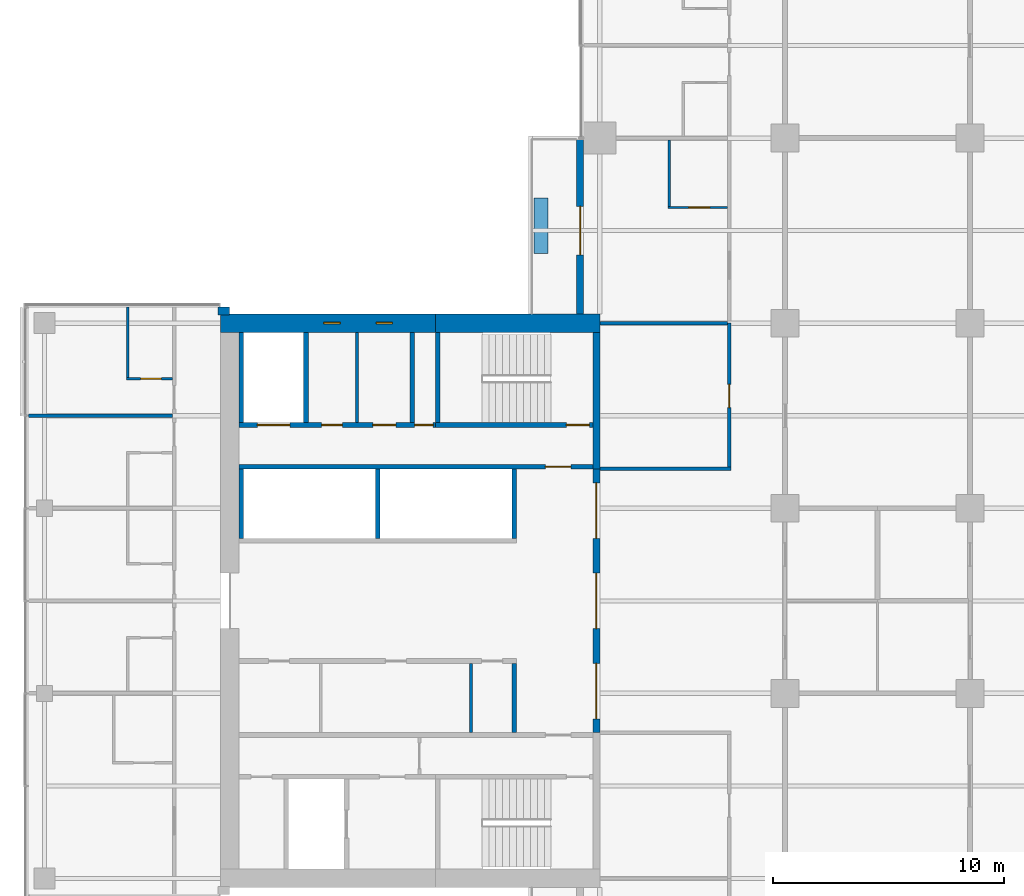
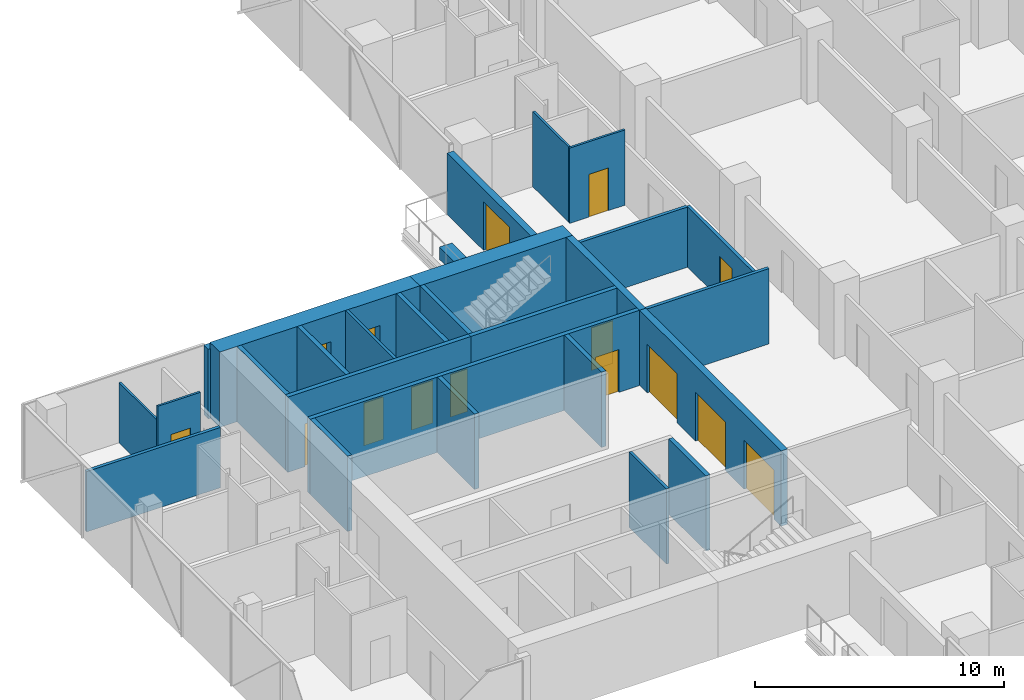
# One storey, part 18 of 27: 28 walls, 13 doors, 2 windows, 15 openings.
"""IFC4 building model written with IfcOpenShell, lengths in metres."""

from ifc_helpers import new_model, si_unit, direction, frame, frame_2d, origin, place, context, subcontext, project, spatial, rectangle, extrude, material, layer, layer_set, constituent, constituent_set, type_object, element, fill, save


model = new_model("IFC4")

# Units and contexts
model_context = context("Model", 3, precision=1e-05, world=origin(), true_north=direction((0.0, 1.0)))
body_context = subcontext(model_context, "Body", "Model", "MODEL_VIEW")
ifc_project = project(units=[si_unit("LENGTHUNIT", "METRE"), si_unit("AREAUNIT", "SQUARE_METRE"), si_unit("VOLUMEUNIT", "CUBIC_METRE"), si_unit("PLANEANGLEUNIT", "RADIAN"), si_unit("MASSUNIT", "GRAM", prefix="KILO")], contexts=[model_context])

# Site, building, storey
site_placement = place(None, origin())
site = spatial("IfcSite", under=ifc_project, at=site_placement, CompositionType="ELEMENT")
building_placement = place(site_placement, origin())
building = spatial("IfcBuilding", under=site, at=building_placement, Name="Crosswind Convention Tower", CompositionType="ELEMENT")
storey_placement = place(building_placement, frame((0.0, 0.0, 94.199951171875)))
storey = spatial("IfcBuildingStorey", under=building, at=storey_placement, Name="L18", CompositionType="ELEMENT", Elevation=94.199951171875)

# Walls
ifc_material_1 = material(Name="Concrete blockwork", Category="masonry")
ifc_layer_1 = layer(ifc_material_1, 0.199951171875)
ifc_layer_set_1 = layer_set([ifc_layer_1], Name="Blockwork partition wall 200")
wall_type_1 = type_object("IfcWallType", Name="Blockwork partition wall 200", PredefinedType="PARTITIONING", material=ifc_layer_set_1)
wall_1_placement = place(storey_placement, frame((104.89990234375, 111.60009765625, 0.0), z_axis=(0.0, 0.0, 1.0), x_axis=(0.0, -1.0, 0.0)))
element("IfcWall", 1, at=wall_1_placement, inside=storey, type_object=wall_type_1, Name="Wall MRSE W L18", PredefinedType="PARTITIONING", context=body_context, shape_type="SweptSolid", body=[
    extrude(rectangle(XDim=3.900146484375, YDim=0.199951171875, at=frame_2d((1.9501953125, 0.0))), origin(), (0.0, 0.0, 1.0), 3.699951171875),
])
ifc_material_2 = material(Name="Plasterboard partition", Category="gypsum")
ifc_layer_2 = layer(ifc_material_2, 0.14990234375)
ifc_layer_set_2 = layer_set([ifc_layer_2], Name="CORRIDOR WALL 150")
wall_type_2 = type_object("IfcWallType", Name="CORRIDOR WALL 150", PredefinedType="PARTITIONING", material=ifc_layer_set_2)
wall_2_placement = place(storey_placement, frame((113.0, 105.699951171875, 0.0), z_axis=(0.0, 0.0, 1.0), x_axis=(1.0, 0.0, 0.0)))
element("IfcWall", 2, at=wall_2_placement, inside=storey, type_object=wall_type_2, Name="Corridor Wall 41", PredefinedType="PARTITIONING", context=body_context, shape_type="SweptSolid", body=[
    extrude(rectangle(XDim=5.675048828125, YDim=0.14990234375, at=frame_2d((2.83740234375, 0.0))), origin(), (0.0, 0.0, 1.0), 3.699951171875),
])

# Wall, opening, door
wall_3_placement = place(storey_placement, frame((118.60009765625, 105.77490234375, 0.0), z_axis=(0.0, 0.0, 1.0), x_axis=(0.0, 1.0, 0.0)))
wall_3 = element("IfcWall", 3, at=wall_3_placement, inside=storey, type_object=wall_type_2, Name="Corridor Wall 81", PredefinedType="PARTITIONING", context=body_context, shape_type="SweptSolid", body=[
    extrude(rectangle(XDim=6.22509765625, YDim=0.14990234375, at=frame_2d((3.112548828125, 0.0))), origin(), (0.0, 0.0, 1.0), 2.95654296875),
])
opening_1_placement = place(wall_3_placement, frame((2.574951171875, 0.0, 0.0)))
opening_1 = element("IfcOpeningElement", 4, at=opening_1_placement, cuts=wall_3, Name="Opening 18.003", PredefinedType="OPENING", context=body_context, shape_type="SweptSolid", body=[
    extrude(rectangle(XDim=1.0, YDim=2.10009765625, at=frame_2d((0.5, 1.050048828125))), frame((0.0, 0.0849609375, 0.0), z_axis=(0.0, -1.0, 0.0), x_axis=(1.0, 0.0, 0.0)), (0.0, 0.0, 1.0), 0.169921875),
])
ifc_material_3 = material(Name="Timber fire door", Category="wood")
door_type_1 = type_object("IfcDoorType", Name="SERVICE ROOM DOOR 1000X2100", OperationType="NOTDEFINED", PredefinedType="DOOR", material=ifc_material_3)
door_1_placement = place(opening_1_placement, origin())
door_1 = element("IfcDoor", 5, at=door_1_placement, inside=storey, type_object=door_type_1, Name="Door 18.003", ObjectType="D3", OperationType="SINGLE_SWING_RIGHT", OverallHeight=2.10009765625, OverallWidth=1.0, PredefinedType="DOOR", context=body_context, shape_type="SweptSolid", body=[
    extrude(rectangle(XDim=1.0, YDim=2.10009765625, at=frame_2d((0.5, 1.050048828125))), frame((0.0, 0.02490234375, 0.0), z_axis=(0.0, -1.0, 0.0), x_axis=(1.0, 0.0, 0.0)), (0.0, 0.0, 1.0), 0.050048828125),
])
fill(opening_1, door_1)

# Wall, openings, doors
ifc_material_4 = material(Name="Concrete C50/60", Category="concrete")
ifc_layer_3 = layer(ifc_material_4, 0.300048828125)
ifc_layer_set_3 = layer_set([ifc_layer_3], Name="Concrete C50/60")
wall_type_3 = type_object("IfcWallType", Name="Concrete inner core wall 300", PredefinedType="SHEAR", material=ifc_layer_set_3)
wall_4_placement = place(storey_placement, frame((112.85009765625, 105.699951171875, 0.0), z_axis=(0.0, 0.0, 1.0), x_axis=(0.0, -1.0, 0.0)))
wall_4 = element("IfcWall", 6, at=wall_4_placement, inside=storey, type_object=wall_type_3, Name="Wall SCR W L18", PredefinedType="SHEAR", context=body_context, shape_type="SweptSolid", body=[
    extrude(rectangle(XDim=11.39990234375, YDim=0.300048828125, at=frame_2d((5.699951171875, 0.0))), origin(), (0.0, 0.0, 1.0), 3.699951171875),
])
opening_2_placement = place(wall_4_placement, frame((0.60009765625, 0.0, 0.0)))
opening_2 = element("IfcOpeningElement", 7, at=opening_2_placement, cuts=wall_4, Name="Opening D100", PredefinedType="OPENING", context=body_context, shape_type="SweptSolid", body=[
    extrude(rectangle(XDim=2.39990234375, YDim=2.39990234375, at=frame_2d((1.199951171875, 1.199951171875))), frame((0.0, 0.159912109375, 0.0), z_axis=(0.0, -1.0, 0.0), x_axis=(1.0, 0.0, 0.0)), (0.0, 0.0, 1.0), 0.320068359375),
])
opening_3_placement = place(wall_4_placement, frame((4.5, 0.0, 0.0)))
opening_3 = element("IfcOpeningElement", 8, at=opening_3_placement, cuts=wall_4, Name="Opening D100", PredefinedType="OPENING", context=body_context, shape_type="SweptSolid", body=[
    extrude(rectangle(XDim=2.39990234375, YDim=2.39990234375, at=frame_2d((1.199951171875, 1.199951171875))), frame((0.0, 0.159912109375, 0.0), z_axis=(0.0, -1.0, 0.0), x_axis=(1.0, 0.0, 0.0)), (0.0, 0.0, 1.0), 0.320068359375),
])
opening_4_placement = place(wall_4_placement, frame((8.39990234375, 0.0, 0.0)))
opening_4 = element("IfcOpeningElement", 9, at=opening_4_placement, cuts=wall_4, Name="Opening D100", PredefinedType="OPENING", context=body_context, shape_type="SweptSolid", body=[
    extrude(rectangle(XDim=2.39990234375, YDim=2.39990234375, at=frame_2d((1.199951171875, 1.199951171875))), frame((0.0, 0.159912109375, 0.0), z_axis=(0.0, -1.0, 0.0), x_axis=(1.0, 0.0, 0.0)), (0.0, 0.0, 1.0), 0.320068359375),
])
ifc_material_5 = material(Name="Steel fire door with glazed vision panels", Category="steel")
door_type_2 = type_object("IfcDoorType", Name="Fire-rated double door 2400x2400", OperationType="DOUBLE_DOOR_SINGLE_SWING", PredefinedType="DOOR", material=ifc_material_5)
door_2_placement = place(opening_2_placement, origin())
door_2 = element("IfcDoor", 10, at=door_2_placement, inside=storey, type_object=door_type_2, Name="Lobby door 1 L18", ObjectType="D100", OperationType="DOUBLE_DOOR_SINGLE_SWING", OverallHeight=2.39990234375, OverallWidth=2.39990234375, PredefinedType="DOOR", context=body_context, shape_type="SweptSolid", body=[
    extrude(rectangle(XDim=2.39990234375, YDim=2.39990234375, at=frame_2d((1.199951171875, 1.199951171875))), frame((0.0, 0.02490234375, 0.0), z_axis=(0.0, -1.0, 0.0), x_axis=(1.0, 0.0, 0.0)), (0.0, 0.0, 1.0), 0.050048828125),
])
fill(opening_2, door_2)
door_3_placement = place(opening_3_placement, origin())
door_3 = element("IfcDoor", 11, at=door_3_placement, inside=storey, type_object=door_type_2, Name="Lobby door 2 L18", ObjectType="D100", OperationType="DOUBLE_DOOR_SINGLE_SWING", OverallHeight=2.39990234375, OverallWidth=2.39990234375, PredefinedType="DOOR", context=body_context, shape_type="SweptSolid", body=[
    extrude(rectangle(XDim=2.39990234375, YDim=2.39990234375, at=frame_2d((1.199951171875, 1.199951171875))), frame((0.0, 0.02490234375, 0.0), z_axis=(0.0, -1.0, 0.0), x_axis=(1.0, 0.0, 0.0)), (0.0, 0.0, 1.0), 0.050048828125),
])
fill(opening_3, door_3)
door_4_placement = place(opening_4_placement, origin())
door_4 = element("IfcDoor", 12, at=door_4_placement, inside=storey, type_object=door_type_2, Name="Lobby door 3 L18", ObjectType="D100", OperationType="DOUBLE_DOOR_SINGLE_SWING", OverallHeight=2.39990234375, OverallWidth=2.39990234375, PredefinedType="DOOR", context=body_context, shape_type="SweptSolid", body=[
    extrude(rectangle(XDim=2.39990234375, YDim=2.39990234375, at=frame_2d((1.199951171875, 1.199951171875))), frame((0.0, 0.02490234375, 0.0), z_axis=(0.0, -1.0, 0.0), x_axis=(1.0, 0.0, 0.0)), (0.0, 0.0, 1.0), 0.050048828125),
])
fill(opening_4, door_4)

# Walls
wall_5_placement = place(storey_placement, frame((112.85009765625, 111.60009765625, 0.0), z_axis=(0.0, 0.0, 1.0), x_axis=(0.0, -1.0, 0.0)))
element("IfcWall", 13, at=wall_5_placement, inside=storey, type_object=wall_type_3, Name="Wall EM W L18", PredefinedType="SHEAR", context=body_context, shape_type="SweptSolid", body=[
    extrude(rectangle(XDim=5.900146484375, YDim=0.300048828125, at=frame_2d((2.9501953125, 0.0))), origin(), (0.0, 0.0, 1.0), 3.699951171875),
])
ifc_layer_4 = layer(ifc_material_4, 0.199951171875)
ifc_layer_set_4 = layer_set([ifc_layer_4], Name="Concrete C50/60")
wall_type_4 = type_object("IfcWallType", Name="Concrete shaft and stair wall 200", PredefinedType="SHEAR", material=ifc_layer_set_4)
for number, where, z_axis, x_axis, name in (
    (14, (109.300048828125, 97.300048828125, 0.0), (0.0, 0.0, 1.0), (0.0, -1.0, 0.0), "Wall RPEND W L18"),
    (15, (109.300048828125, 105.699951171875, 0.0), (0.0, 0.0, 1.0), (0.0, -1.0, 0.0), "Wall RMEND W L18"),
    (16, (103.39990234375, 105.699951171875, 0.0), (0.0, 0.0, 1.0), (0.0, -1.0, 0.0), "Wall RMSEP W L18"),
    (17, (97.5, 105.699951171875, 0.0), (0.0, 0.0, 1.0), (0.0, -1.0, 0.0), "Wall RMEAST W L18"),
):
    element("IfcWall", number, at=place(storey_placement, frame(where, z_axis=z_axis, x_axis=x_axis)), inside=storey, type_object=wall_type_4, Name=name, PredefinedType="SHEAR", context=body_context, shape_type="SweptSolid", body=[
        extrude(rectangle(XDim=3.0, YDim=0.199951171875, at=frame_2d((1.5, 0.0))), origin(), (0.0, 0.0, 1.0), 3.699951171875),
    ])

# Wall, opening, door
wall_6_placement = place(storey_placement, frame((112.699951171875, 105.800048828125, 0.0), z_axis=(0.0, 0.0, 1.0), x_axis=(-1.0, 0.0, 0.0)))
wall_6 = element("IfcWall", 18, at=wall_6_placement, inside=storey, type_object=wall_type_4, Name="Wall HM W L18", PredefinedType="SHEAR", context=body_context, shape_type="SweptSolid", body=[
    extrude(rectangle(XDim=15.300048828125, YDim=0.199951171875, at=frame_2d((7.64990234375, 0.0))), origin(), (0.0, 0.0, 1.0), 3.699951171875),
])
opening_5_placement = place(wall_6_placement, frame((0.949951171875, 0.0, 0.0)))
opening_5 = element("IfcOpeningElement", 19, at=opening_5_placement, cuts=wall_6, Name="Opening D104", PredefinedType="OPENING", context=body_context, shape_type="SweptSolid", body=[
    extrude(rectangle(XDim=1.10009765625, YDim=2.10009765625, at=frame_2d((0.550048828125, 1.050048828125))), frame((0.0, 0.10986328125, 0.0), z_axis=(0.0, -1.0, 0.0), x_axis=(1.0, 0.0, 0.0)), (0.0, 0.0, 1.0), 0.219970703125),
])
ifc_material_6 = material(Name="Steel fire door", Category="steel")
door_type_3 = type_object("IfcDoorType", Name="Fire-rated single door 1100x2100", OperationType="NOTDEFINED", PredefinedType="DOOR", material=ifc_material_6)
door_5_placement = place(opening_5_placement, origin())
door_5 = element("IfcDoor", 20, at=door_5_placement, inside=storey, type_object=door_type_3, Name="Corridor door L18", ObjectType="D104", OperationType="SINGLE_SWING_LEFT", OverallHeight=2.10009765625, OverallWidth=1.10009765625, PredefinedType="DOOR", context=body_context, shape_type="SweptSolid", body=[
    extrude(rectangle(XDim=1.10009765625, YDim=2.10009765625, at=frame_2d((0.550048828125, 1.050048828125))), frame((0.0, 0.02490234375, 0.0), z_axis=(0.0, -1.0, 0.0), x_axis=(1.0, 0.0, 0.0)), (0.0, 0.0, 1.0), 0.050048828125),
])
fill(opening_5, door_5)

# Walls
for number, where, z_axis, x_axis, name in (
    (21, (106.0, 111.60009765625, 0.0), (0.0, 0.0, 1.0), (0.0, -1.0, 0.0), "Wall MSE W L18"),
    (22, (100.300048828125, 111.60009765625, 0.0), (0.0, 0.0, 1.0), (0.0, -1.0, 0.0), "Wall MFSW W L18"),
    (23, (97.5, 111.60009765625, 0.0), (0.0, 0.0, 1.0), (0.0, -1.0, 0.0), "Wall MFSE W L18"),
):
    element("IfcWall", number, at=place(storey_placement, frame(where, z_axis=z_axis, x_axis=x_axis)), inside=storey, type_object=wall_type_4, Name=name, PredefinedType="SHEAR", context=body_context, shape_type="SweptSolid", body=[
        extrude(rectangle(XDim=3.900146484375, YDim=0.199951171875, at=frame_2d((1.9501953125, 0.0))), origin(), (0.0, 0.0, 1.0), 3.699951171875),
    ])

# Wall, opening, door
wall_7_placement = place(storey_placement, frame((112.699951171875, 107.60009765625, 0.0), z_axis=(0.0, 0.0, 1.0), x_axis=(-1.0, 0.0, 0.0)))
wall_7 = element("IfcWall", 24, at=wall_7_placement, inside=storey, type_object=wall_type_4, Name="Wall MCW W L18", PredefinedType="SHEAR", context=body_context, shape_type="SweptSolid", body=[
    extrude(rectangle(XDim=6.800048828125, YDim=0.199951171875, at=frame_2d((3.39990234375, 0.0))), origin(), (0.0, 0.0, 1.0), 3.699951171875),
])
opening_6_placement = place(wall_7_placement, frame((0.14990234375, 0.0, 0.0)))
opening_6 = element("IfcOpeningElement", 25, at=opening_6_placement, cuts=wall_7, Name="Opening D103", PredefinedType="OPENING", context=body_context, shape_type="SweptSolid", body=[
    extrude(rectangle(XDim=1.0, YDim=2.10009765625, at=frame_2d((0.5, 1.050048828125))), frame((0.0, 0.10986328125, 0.0), z_axis=(0.0, -1.0, 0.0), x_axis=(1.0, 0.0, 0.0)), (0.0, 0.0, 1.0), 0.219970703125),
])
door_type_4 = type_object("IfcDoorType", Name="Fire-rated single door 1000x2100", OperationType="NOTDEFINED", PredefinedType="DOOR", material=ifc_material_6)
door_6_placement = place(opening_6_placement, frame((1.0, 0.0, 0.0), z_axis=(0.0, 0.0, 1.0), x_axis=(-1.0, 0.0, 0.0)))
door_6 = element("IfcDoor", 26, at=door_6_placement, inside=storey, type_object=door_type_4, Name="Stair ST4 door L18", ObjectType="D103", OperationType="SINGLE_SWING_RIGHT", OverallHeight=2.10009765625, OverallWidth=1.0, PredefinedType="DOOR", context=body_context, shape_type="SweptSolid", body=[
    extrude(rectangle(XDim=1.0, YDim=2.10009765625, at=frame_2d((0.5, 1.050048828125))), frame((0.0, 0.02490234375, 0.0), z_axis=(0.0, -1.0, 0.0), x_axis=(1.0, 0.0, 0.0)), (0.0, 0.0, 1.0), 0.050048828125),
])
fill(opening_6, door_6)

# Wall, openings, doors
wall_8_placement = place(storey_placement, frame((105.89990234375, 107.60009765625, 0.0), z_axis=(0.0, 0.0, 1.0), x_axis=(-1.0, 0.0, 0.0)))
wall_8 = element("IfcWall", 27, at=wall_8_placement, inside=storey, type_object=wall_type_4, Name="Wall MCX W L18", PredefinedType="SHEAR", context=body_context, shape_type="SweptSolid", body=[
    extrude(rectangle(XDim=8.5, YDim=0.199951171875, at=frame_2d((4.25, 0.0))), origin(), (0.0, 0.0, 1.0), 3.699951171875),
])
opening_7_placement = place(wall_8_placement, frame((0.10009765625, 0.0, 0.0)))
opening_7 = element("IfcOpeningElement", 28, at=opening_7_placement, cuts=wall_8, Name="Opening D105", PredefinedType="OPENING", context=body_context, shape_type="SweptSolid", body=[
    extrude(rectangle(XDim=0.800048828125, YDim=2.10009765625, at=frame_2d((0.39990234375, 1.050048828125))), frame((0.0, 0.10986328125, 0.0), z_axis=(0.0, -1.0, 0.0), x_axis=(1.0, 0.0, 0.0)), (0.0, 0.0, 1.0), 0.219970703125),
])
opening_8_placement = place(wall_8_placement, frame((1.712646484375, 0.0, 0.0)))
opening_8 = element("IfcOpeningElement", 29, at=opening_8_placement, cuts=wall_8, Name="Opening D103", PredefinedType="OPENING", context=body_context, shape_type="SweptSolid", body=[
    extrude(rectangle(XDim=1.0, YDim=2.10009765625, at=frame_2d((0.5, 1.050048828125))), frame((0.0, 0.10986328125, 0.0), z_axis=(0.0, -1.0, 0.0), x_axis=(1.0, 0.0, 0.0)), (0.0, 0.0, 1.0), 0.219970703125),
])
opening_9_placement = place(wall_8_placement, frame((4.025146484375, 0.0, 0.0)))
opening_9 = element("IfcOpeningElement", 30, at=opening_9_placement, cuts=wall_8, Name="Opening D106", PredefinedType="OPENING", context=body_context, shape_type="SweptSolid", body=[
    extrude(rectangle(XDim=0.89990234375, YDim=2.10009765625, at=frame_2d((0.449951171875, 1.050048828125))), frame((0.0, 0.10986328125, 0.0), z_axis=(0.0, -1.0, 0.0), x_axis=(1.0, 0.0, 0.0)), (0.0, 0.0, 1.0), 0.219970703125),
])
opening_10_placement = place(wall_8_placement, frame((6.300048828125, 0.0, 0.0)))
opening_10 = element("IfcOpeningElement", 31, at=opening_10_placement, cuts=wall_8, Name="Opening LD2", PredefinedType="OPENING", context=body_context, shape_type="SweptSolid", body=[
    extrude(rectangle(XDim=1.39990234375, YDim=2.10009765625, at=frame_2d((0.699951171875, 1.050048828125))), frame((0.0, 0.10986328125, 0.0), z_axis=(0.0, -1.0, 0.0), x_axis=(1.0, 0.0, 0.0)), (0.0, 0.0, 1.0), 0.219970703125),
])
door_7_placement = place(opening_8_placement, frame((1.0, 0.0, 0.0), z_axis=(0.0, 0.0, 1.0), x_axis=(-1.0, 0.0, 0.0)))
door_7 = element("IfcDoor", 32, at=door_7_placement, inside=storey, type_object=door_type_4, Name="Door to accessible wc L18", ObjectType="D103", OperationType="SINGLE_SWING_LEFT", OverallHeight=2.10009765625, OverallWidth=1.0, PredefinedType="DOOR", context=body_context, shape_type="SweptSolid", body=[
    extrude(rectangle(XDim=1.0, YDim=2.10009765625, at=frame_2d((0.5, 1.050048828125))), frame((0.0, 0.02490234375, 0.0), z_axis=(0.0, -1.0, 0.0), x_axis=(1.0, 0.0, 0.0)), (0.0, 0.0, 1.0), 0.050048828125),
])
fill(opening_8, door_7)
ifc_material_7 = material(Name="Stainless steel", Category="steel")
door_type_5 = type_object("IfcDoorType", Name="Lift landing door 1400x2100", OperationType="DOUBLE_DOOR_SLIDING", PredefinedType="DOOR", material=ifc_material_7)
door_8_placement = place(opening_10_placement, origin())
door_8 = element("IfcDoor", 33, at=door_8_placement, inside=storey, type_object=door_type_5, Name="Landing door SV2 L18", ObjectType="LD2", OperationType="DOUBLE_DOOR_SLIDING", OverallHeight=2.10009765625, OverallWidth=1.39990234375, PredefinedType="DOOR", context=body_context, shape_type="SweptSolid", body=[
    extrude(rectangle(XDim=1.39990234375, YDim=2.10009765625, at=frame_2d((0.699951171875, 1.050048828125))), frame((0.0, 0.02490234375, 0.0), z_axis=(0.0, -1.0, 0.0), x_axis=(1.0, 0.0, 0.0)), (0.0, 0.0, 1.0), 0.050048828125),
])
fill(opening_10, door_8)
door_type_6 = type_object("IfcDoorType", Name="Riser access door 800x2100", OperationType="NOTDEFINED", PredefinedType="DOOR", material=ifc_material_6)
door_9_placement = place(opening_7_placement, frame((0.800048828125, 0.0, 0.0), z_axis=(0.0, 0.0, 1.0), x_axis=(-1.0, 0.0, 0.0)))
door_9 = element("IfcDoor", 34, at=door_9_placement, inside=storey, type_object=door_type_6, Name="Riser door L18", ObjectType="D105", OperationType="SINGLE_SWING_LEFT", OverallHeight=2.10009765625, OverallWidth=0.800048828125, PredefinedType="DOOR", context=body_context, shape_type="SweptSolid", body=[
    extrude(rectangle(XDim=0.800048828125, YDim=2.10009765625, at=frame_2d((0.39990234375, 1.050048828125))), frame((0.0, 0.02490234375, 0.0), z_axis=(0.0, -1.0, 0.0), x_axis=(1.0, 0.0, 0.0)), (0.0, 0.0, 1.0), 0.050048828125),
])
fill(opening_7, door_9)
ifc_material_8 = material(Name="Timber door", Category="wood")
door_type_7 = type_object("IfcDoorType", Name="Single leaf door 900x2100", OperationType="NOTDEFINED", PredefinedType="DOOR", material=ifc_material_8)
door_10_placement = place(opening_9_placement, frame((0.89990234375, 0.0, 0.0), z_axis=(0.0, 0.0, 1.0), x_axis=(-1.0, 0.0, 0.0)))
door_10 = element("IfcDoor", 35, at=door_10_placement, inside=storey, type_object=door_type_7, Name="Door to wc L18", ObjectType="D106", OperationType="SINGLE_SWING_LEFT", OverallHeight=2.10009765625, OverallWidth=0.89990234375, PredefinedType="DOOR", context=body_context, shape_type="SweptSolid", body=[
    extrude(rectangle(XDim=0.89990234375, YDim=2.10009765625, at=frame_2d((0.449951171875, 1.050048828125))), frame((0.0, 0.02490234375, 0.0), z_axis=(0.0, -1.0, 0.0), x_axis=(1.0, 0.0, 0.0)), (0.0, 0.0, 1.0), 0.050048828125),
])
fill(opening_9, door_10)

# Walls
ifc_material_9 = material(Name="Gypsum plasterboard partition", Category="gypsum")
ifc_layer_5 = layer(ifc_material_9, 0.125)
ifc_layer_set_5 = layer_set([ifc_layer_5], Name="Drywall partition wall 125")
wall_type_5 = type_object("IfcWallType", Name="Drywall partition wall 125", PredefinedType="PARTITIONING", material=ifc_layer_set_5)
wall_9_placement = place(storey_placement, frame((107.429931640625, 97.300048828125, 0.0), z_axis=(0.0, 0.0, 1.0), x_axis=(0.0, -1.0, 0.0)))
element("IfcWall", 36, at=wall_9_placement, inside=storey, type_object=wall_type_5, Name="Wall RPP1 W L18", PredefinedType="PARTITIONING", context=body_context, shape_type="SweptSolid", body=[
    extrude(rectangle(XDim=3.0, YDim=0.125, at=frame_2d((1.5, 0.0))), origin(), (0.0, 0.0, 1.0), 3.699951171875),
])
wall_10_placement = place(storey_placement, frame((102.511962890625, 111.60009765625, 0.0), z_axis=(0.0, 0.0, 1.0), x_axis=(0.0, -1.0, 0.0)))
element("IfcWall", 37, at=wall_10_placement, inside=storey, type_object=wall_type_5, Name="Wall MWP1 W L18", PredefinedType="PARTITIONING", context=body_context, shape_type="SweptSolid", body=[
    extrude(rectangle(XDim=3.900146484375, YDim=0.125, at=frame_2d((1.9501953125, 0.0))), origin(), (0.0, 0.0, 1.0), 3.699951171875),
])
ifc_material_10 = material(Name="Acoustic plasterboard partition", Category="gypsum")
ifc_layer_6 = layer(ifc_material_10, 0.14990234375)
ifc_layer_set_6 = layer_set([ifc_layer_6], Name="GUEST ROOM WALL 150")
wall_type_6 = type_object("IfcWallType", Name="GUEST ROOM WALL 150", PredefinedType="PARTITIONING", material=ifc_layer_set_6)
wall_11_placement = place(storey_placement, frame((88.300048828125, 108.0, 0.0), z_axis=(0.0, 0.0, 1.0), x_axis=(1.0, 0.0, 0.0)))
element("IfcWall", 38, at=wall_11_placement, inside=storey, type_object=wall_type_6, Name="Guest Room Wall 44", PredefinedType="PARTITIONING", context=body_context, shape_type="SweptSolid", body=[
    extrude(rectangle(XDim=6.224853515625, YDim=0.14990234375, at=frame_2d((3.1123046875, 0.0))), origin(), (0.0, 0.0, 1.0), 2.962890625),
])
wall_12_placement = place(storey_placement, frame((113.0, 112.0, 0.0), z_axis=(0.0, 0.0, 1.0), x_axis=(1.0, 0.0, 0.0)))
element("IfcWall", 39, at=wall_12_placement, inside=storey, type_object=wall_type_6, Name="Guest Room Wall 48", PredefinedType="PARTITIONING", context=body_context, shape_type="SweptSolid", body=[
    extrude(rectangle(XDim=5.52490234375, YDim=0.14990234375, at=frame_2d((2.762451171875, 0.0))), origin(), (0.0, 0.0, 1.0), 2.95654296875),
])
ifc_material_11 = material(Name="Concrete C30/37", Category="concrete")
ifc_layer_7 = layer(ifc_material_11, 0.60009765625)
ifc_layer_set_7 = layer_set([ifc_layer_7], Name="Concrete C30/37")
wall_type_7 = type_object("IfcWallType", Name="PLANTER BOX WALL 600", PredefinedType="SOLIDWALL", material=ifc_layer_set_7)
wall_13_placement = place(storey_placement, frame((110.449951171875, 117.39990234375, 0.0), z_axis=(0.0, 0.0, 1.0), x_axis=(0.0, -1.0, 0.0)))
element("IfcWall", 40, at=wall_13_placement, inside=storey, type_object=wall_type_7, Name="PLANTER L18 N-W.1-3", PredefinedType="SOLIDWALL", context=body_context, shape_type="SweptSolid", body=[
    extrude(rectangle(XDim=2.39990234375, YDim=0.60009765625, at=frame_2d((1.199951171875, 0.0))), origin(), (0.0, 0.0, 1.0), 0.60009765625),
])
ifc_material_12 = material(Name="Terracotta rainscreen", Category="ceramic")
ifc_layer_8 = layer(ifc_material_12, 0.02001953125)
ifc_material_13 = material(Name="Mineral wool insulation", Category="insulation")
ifc_layer_9 = layer(ifc_material_13, 0.10009765625)
ifc_layer_10 = layer(ifc_material_1, 0.236083984375)
ifc_layer_set_8 = layer_set([ifc_layer_8, ifc_layer_9, ifc_layer_10], Name="TERRACOTTA CORNER INFILL WALL 356")
wall_type_8 = type_object("IfcWallType", Name="TERRACOTTA CORNER INFILL WALL 356", PredefinedType="SOLIDWALL", material=ifc_layer_set_8)
wall_14_placement = place(storey_placement, frame((96.4951171875, 112.52197265625, 0.0), z_axis=(0.0, 0.0, 1.0), x_axis=(1.0, 0.0, 0.0)))
element("IfcWall", 41, at=wall_14_placement, inside=storey, type_object=wall_type_8, Name="Core corner infill wall L18 2", PredefinedType="SOLIDWALL", context=body_context, shape_type="SweptSolid", body=[
    extrude(rectangle(XDim=0.5048828125, YDim=0.35595703125, at=frame_2d((0.25244140625, 0.0))), origin(), (0.0, 0.0, 1.0), 3.420166015625),
])

# Wall, opening, door
ifc_layer_11 = layer(ifc_material_12, 0.02001953125)
ifc_layer_12 = layer(ifc_material_13, 0.10009765625)
ifc_layer_13 = layer(ifc_material_1, 0.179931640625)
ifc_layer_set_9 = layer_set([ifc_layer_11, ifc_layer_12, ifc_layer_13], Name="TERRACOTTA INFILL WALL 300")
wall_type_9 = type_object("IfcWallType", Name="TERRACOTTA INFILL WALL 300", PredefinedType="SOLIDWALL", material=ifc_layer_set_9)
wall_15_placement = place(storey_placement, frame((112.14990234375, 119.967529296875, 0.0), z_axis=(0.0, 0.0, 1.0), x_axis=(0.0, -1.0, 0.0)))
wall_15 = element("IfcWall", 42, at=wall_15_placement, inside=storey, type_object=wall_type_9, Name="Notch front wall L18 N-W.1-3", PredefinedType="SOLIDWALL", context=body_context, shape_type="SweptSolid", body=[
    extrude(rectangle(XDim=7.567626953125, YDim=0.300048828125, at=frame_2d((3.78369140625, 0.0))), origin(), (0.0, 0.0, 1.0), 3.013671875),
])
opening_11_placement = place(wall_15_placement, frame((2.91748046875, 0.0, 0.0)))
opening_11 = element("IfcOpeningElement", 43, at=opening_11_placement, cuts=wall_15, Name="Opening D141", PredefinedType="OPENING", context=body_context, shape_type="SweptSolid", body=[
    extrude(rectangle(XDim=2.10009765625, YDim=2.39990234375, at=frame_2d((1.050048828125, 1.199951171875))), frame((0.0, 0.159912109375, 0.0), z_axis=(0.0, -1.0, 0.0), x_axis=(1.0, 0.0, 0.0)), (0.0, 0.0, 1.0), 0.320068359375),
])
ifc_material_14 = material(Name="Aluminium glazed door", Category="aluminium")
door_type_8 = type_object("IfcDoorType", Name="BALCONY SLIDING DOOR 2100X2400", OperationType="SLIDING_TO_LEFT", PredefinedType="DOOR", material=ifc_material_14)
door_11_placement = place(opening_11_placement, frame((2.10009765625, 0.0, 0.0), z_axis=(0.0, 0.0, 1.0), x_axis=(-1.0, 0.0, 0.0)))
door_11 = element("IfcDoor", 44, at=door_11_placement, inside=storey, type_object=door_type_8, Name="D141 balcony door L18 N-W.1-3", ObjectType="D141", OperationType="SLIDING_TO_LEFT", OverallHeight=2.39990234375, OverallWidth=2.10009765625, PredefinedType="DOOR", context=body_context, shape_type="SweptSolid", body=[
    extrude(rectangle(XDim=2.10009765625, YDim=2.39990234375, at=frame_2d((1.050048828125, 1.199951171875))), frame((0.0, 0.02490234375, 0.0), z_axis=(0.0, -1.0, 0.0), x_axis=(1.0, 0.0, 0.0)), (0.0, 0.0, 1.0), 0.050048828125),
])
fill(opening_11, door_11)

# Wall
ifc_material_15 = material(Name="Concrete C60/75", Category="concrete")
ifc_constituent_1 = constituent(ifc_material_15, Name="Structure")
ifc_constituent_2 = constituent(ifc_material_12, Name="Facing")
ifc_constituent_set = constituent_set(constituents=[ifc_constituent_1, ifc_constituent_2], Name="Concrete C60/75, Terracotta rainscreen")
wall_type_10 = type_object("IfcWallType", Name="Terracotta rainscreen on concrete core wall 800", PredefinedType="SHEAR", material=ifc_constituent_set)
wall_16_placement = place(storey_placement, frame((113.0, 112.0, 0.0), z_axis=(0.0, 0.0, 1.0), x_axis=(-1.0, 0.0, 0.0)))
element("IfcWall", 45, at=wall_16_placement, inside=storey, type_object=wall_type_10, Name="Wall S1 W L18", PredefinedType="SHEAR", context=body_context, shape_type="SweptSolid", body=[
    extrude(rectangle(XDim=7.10009765625, YDim=0.800048828125, at=frame_2d((3.550048828125, 0.0))), origin(), (0.0, 0.0, 1.0), 3.699951171875),
])

# Wall, openings, windows
wall_17_placement = place(storey_placement, frame((105.89990234375, 112.0, 0.0), z_axis=(0.0, 0.0, 1.0), x_axis=(-1.0, 0.0, 0.0)))
wall_17 = element("IfcWall", 46, at=wall_17_placement, inside=storey, type_object=wall_type_10, Name="Wall S2 W L18", PredefinedType="SHEAR", context=body_context, shape_type="SweptSolid", body=[
    extrude(rectangle(XDim=9.2998046875, YDim=0.800048828125, at=frame_2d((4.64990234375, 0.0))), origin(), (0.0, 0.0, 1.0), 3.699951171875),
])
opening_12_placement = place(wall_17_placement, frame((1.86279296875, 0.0, 1.5)))
opening_12 = element("IfcOpeningElement", 47, at=opening_12_placement, cuts=wall_17, Name="Opening W2", PredefinedType="OPENING", context=body_context, shape_type="SweptSolid", body=[
    extrude(rectangle(XDim=0.699951171875, YDim=0.89990234375, at=frame_2d((0.35009765625, 0.449951171875))), frame((0.0, 0.409912109375, 0.0), z_axis=(0.0, -1.0, 0.0), x_axis=(1.0, 0.0, 0.0)), (0.0, 0.0, 1.0), 0.820068359375),
])
opening_13_placement = place(wall_17_placement, frame((4.125244140625, 0.0, 1.5)))
opening_13 = element("IfcOpeningElement", 48, at=opening_13_placement, cuts=wall_17, Name="Opening W2", PredefinedType="OPENING", context=body_context, shape_type="SweptSolid", body=[
    extrude(rectangle(XDim=0.699951171875, YDim=0.89990234375, at=frame_2d((0.35009765625, 0.449951171875))), frame((0.0, 0.409912109375, 0.0), z_axis=(0.0, -1.0, 0.0), x_axis=(1.0, 0.0, 0.0)), (0.0, 0.0, 1.0), 0.820068359375),
])
ifc_material_16 = material(Name="Obscure glass in aluminium frame", Category="aluminium")
window_type = type_object("IfcWindowType", Name="WC window 700x900", PartitioningType="SINGLE_PANEL", PredefinedType="WINDOW", material=ifc_material_16)
window_1_placement = place(opening_12_placement, origin())
window_1 = element("IfcWindow", 49, at=window_1_placement, inside=storey, type_object=window_type, Name="WC window L18", ObjectType="W2", OverallHeight=0.89990234375, OverallWidth=0.699951171875, PartitioningType="SINGLE_PANEL", PredefinedType="WINDOW", context=body_context, shape_type="SweptSolid", body=[
    extrude(rectangle(XDim=0.699951171875, YDim=0.89990234375, at=frame_2d((0.35009765625, 0.449951171875))), frame((0.0, 0.030029296875, 0.0), z_axis=(0.0, -1.0, 0.0), x_axis=(1.0, 0.0, 0.0)), (0.0, 0.0, 1.0), 0.06005859375),
])
fill(opening_12, window_1)
window_2_placement = place(opening_13_placement, origin())
window_2 = element("IfcWindow", 50, at=window_2_placement, inside=storey, type_object=window_type, Name="WC window L18", ObjectType="W2", OverallHeight=0.89990234375, OverallWidth=0.699951171875, PartitioningType="SINGLE_PANEL", PredefinedType="WINDOW", context=body_context, shape_type="SweptSolid", body=[
    extrude(rectangle(XDim=0.699951171875, YDim=0.89990234375, at=frame_2d((0.35009765625, 0.449951171875))), frame((0.0, 0.030029296875, 0.0), z_axis=(0.0, -1.0, 0.0), x_axis=(1.0, 0.0, 0.0)), (0.0, 0.0, 1.0), 0.06005859375),
])
fill(opening_13, window_2)

# Wall, opening, door
ifc_material_17 = material(Name="Water-resistant plasterboard partition", Category="gypsum")
ifc_layer_14 = layer(ifc_material_17, 0.10009765625)
ifc_layer_set_10 = layer_set([ifc_layer_14], Name="WET ROOM PARTITION 100")
wall_type_11 = type_object("IfcWallType", Name="WET ROOM PARTITION 100", PredefinedType="PLUMBINGWALL", material=ifc_layer_set_10)
wall_18_placement = place(storey_placement, frame((92.550048828125, 109.60009765625, 0.0), z_axis=(0.0, 0.0, 1.0), x_axis=(1.0, 0.0, 0.0)))
wall_18 = element("IfcWall", 51, at=wall_18_placement, inside=storey, type_object=wall_type_11, Name="Wet Room Partition 46", PredefinedType="PLUMBINGWALL", context=body_context, shape_type="SweptSolid", body=[
    extrude(rectangle(XDim=1.974853515625, YDim=0.10009765625, at=frame_2d((0.9873046875, 0.0))), origin(), (0.0, 0.0, 1.0), 3.699951171875),
])
opening_14_placement = place(wall_18_placement, frame((0.60009765625, 0.0, 0.0)))
opening_14 = element("IfcOpeningElement", 52, at=opening_14_placement, cuts=wall_18, Name="Opening 18.049", PredefinedType="OPENING", context=body_context, shape_type="SweptSolid", body=[
    extrude(rectangle(XDim=0.89990234375, YDim=2.10009765625, at=frame_2d((0.449951171875, 1.050048828125))), frame((0.0, 0.06005859375, 0.0), z_axis=(0.0, -1.0, 0.0), x_axis=(1.0, 0.0, 0.0)), (0.0, 0.0, 1.0), 0.1201171875),
])
door_type_9 = type_object("IfcDoorType", Name="EN-SUITE DOOR 900X2100", OperationType="NOTDEFINED", PredefinedType="DOOR", material=ifc_material_8)
door_12_placement = place(opening_14_placement, origin())
door_12 = element("IfcDoor", 53, at=door_12_placement, inside=storey, type_object=door_type_9, Name="Door 18.049", ObjectType="D2", OperationType="SINGLE_SWING_RIGHT", OverallHeight=2.10009765625, OverallWidth=0.89990234375, PredefinedType="DOOR", context=body_context, shape_type="SweptSolid", body=[
    extrude(rectangle(XDim=0.89990234375, YDim=2.10009765625, at=frame_2d((0.449951171875, 1.050048828125))), frame((0.0, 0.02490234375, 0.0), z_axis=(0.0, -1.0, 0.0), x_axis=(1.0, 0.0, 0.0)), (0.0, 0.0, 1.0), 0.050048828125),
])
fill(opening_14, door_12)

wall_19_placement = place(storey_placement, frame((115.949951171875, 117.0, 0.0), z_axis=(0.0, 0.0, 1.0), x_axis=(1.0, 0.0, 0.0)))
wall_19 = element("IfcWall", 54, at=wall_19_placement, inside=storey, type_object=wall_type_11, Name="Wet Room Partition 50", PredefinedType="PLUMBINGWALL", context=body_context, shape_type="SweptSolid", body=[
    extrude(rectangle(XDim=2.574951171875, YDim=0.10009765625, at=frame_2d((1.28759765625, 0.0))), origin(), (0.0, 0.0, 1.0), 3.699951171875),
])
opening_15_placement = place(wall_19_placement, frame((0.89990234375, 0.0, 0.0)))
opening_15 = element("IfcOpeningElement", 55, at=opening_15_placement, cuts=wall_19, Name="Opening 18.011", PredefinedType="OPENING", context=body_context, shape_type="SweptSolid", body=[
    extrude(rectangle(XDim=0.89990234375, YDim=2.10009765625, at=frame_2d((0.449951171875, 1.050048828125))), frame((0.0, 0.06005859375, 0.0), z_axis=(0.0, -1.0, 0.0), x_axis=(1.0, 0.0, 0.0)), (0.0, 0.0, 1.0), 0.1201171875),
])
door_13_placement = place(opening_15_placement, origin())
door_13 = element("IfcDoor", 56, at=door_13_placement, inside=storey, type_object=door_type_9, Name="Door 18.011", ObjectType="D2", OperationType="SINGLE_SWING_RIGHT", OverallHeight=2.10009765625, OverallWidth=0.89990234375, PredefinedType="DOOR", context=body_context, shape_type="SweptSolid", body=[
    extrude(rectangle(XDim=0.89990234375, YDim=2.10009765625, at=frame_2d((0.449951171875, 1.050048828125))), frame((0.0, 0.02490234375, 0.0), z_axis=(0.0, -1.0, 0.0), x_axis=(1.0, 0.0, 0.0)), (0.0, 0.0, 1.0), 0.050048828125),
])
fill(opening_15, door_13)

# Walls
wall_20_placement = place(storey_placement, frame((92.60009765625, 109.64990234375, 0.0), z_axis=(0.0, 0.0, 1.0), x_axis=(0.0, 1.0, 0.0)))
element("IfcWall", 57, at=wall_20_placement, inside=storey, type_object=wall_type_11, Name="Wet Room Partition 70", PredefinedType="PLUMBINGWALL", context=body_context, shape_type="SweptSolid", body=[
    extrude(rectangle(XDim=3.050048828125, YDim=0.10009765625, at=frame_2d((1.52490234375, 0.0))), origin(), (0.0, 0.0, 1.0), 2.962890625),
])
wall_21_placement = place(storey_placement, frame((116.0, 117.050048828125, 0.0), z_axis=(0.0, 0.0, 1.0), x_axis=(0.0, 1.0, 0.0)))
element("IfcWall", 58, at=wall_21_placement, inside=storey, type_object=wall_type_11, Name="Wet Room Partition 73", PredefinedType="PLUMBINGWALL", context=body_context, shape_type="SweptSolid", body=[
    extrude(rectangle(XDim=2.875, YDim=0.10009765625, at=frame_2d((1.4375, 0.0))), origin(), (0.0, 0.0, 1.0), 3.699951171875),
])

save(model, "model.ifc")
